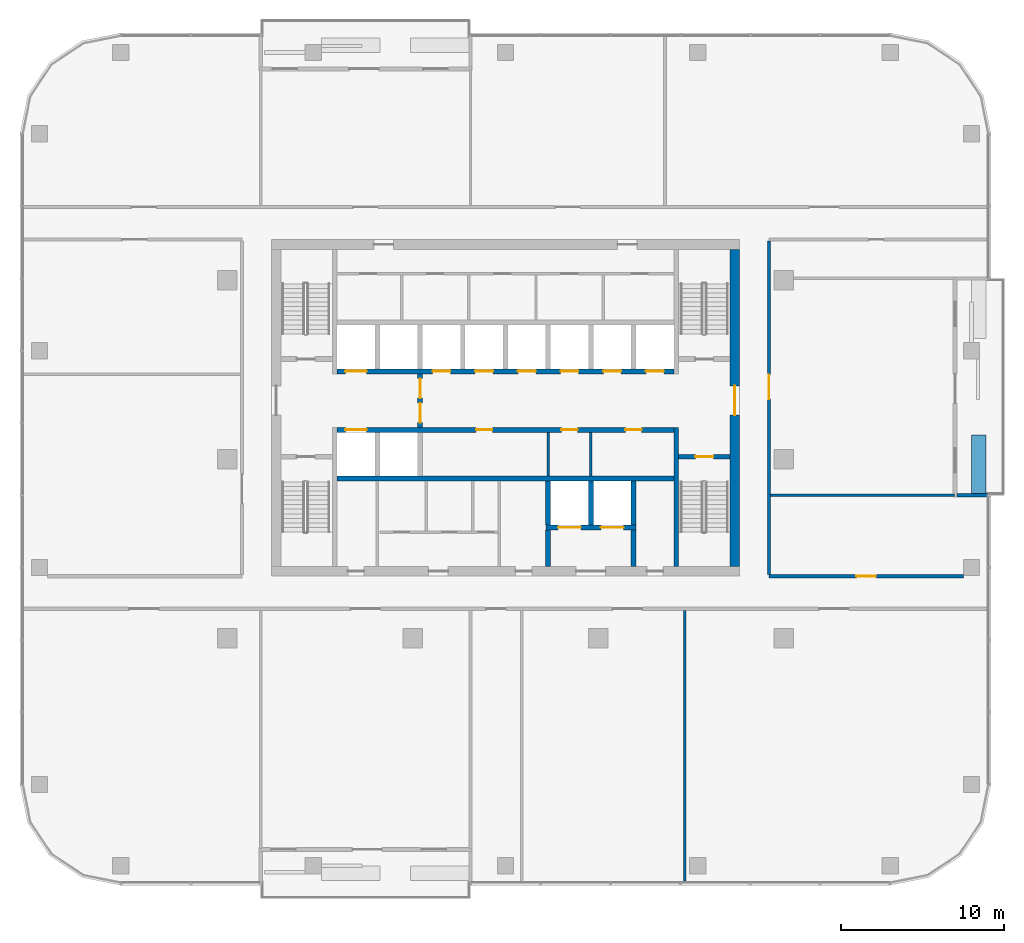
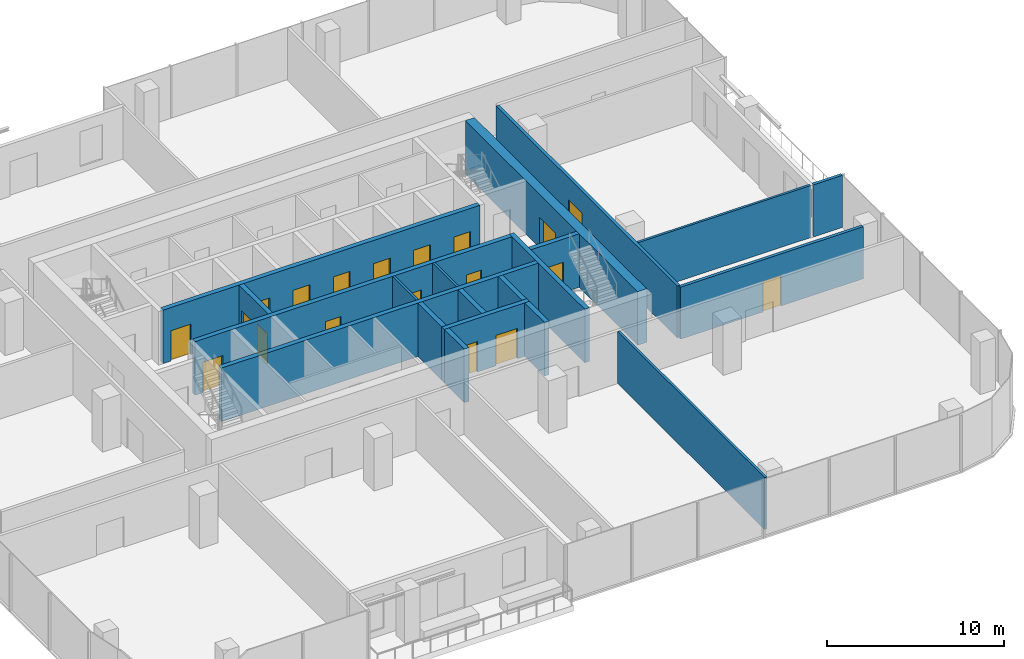
# One storey, part 8 of 13: 21 walls, 19 doors, 19 openings.
"""IFC4 building model written with IfcOpenShell, lengths in metres."""

from ifc_helpers import new_model, si_unit, direction, frame, frame_2d, origin, place, context, subcontext, project, spatial, rectangle, extrude, material, layer, layer_set, type_object, element, fill, save


model = new_model("IFC4")

# Units and contexts
model_context = context("Model", 3, precision=1e-05, world=origin(), true_north=direction((0.0, 1.0)))
body_context = subcontext(model_context, "Body", "Model", "MODEL_VIEW")
ifc_project = project(units=[si_unit("LENGTHUNIT", "METRE"), si_unit("AREAUNIT", "SQUARE_METRE"), si_unit("VOLUMEUNIT", "CUBIC_METRE"), si_unit("PLANEANGLEUNIT", "RADIAN"), si_unit("MASSUNIT", "GRAM", prefix="KILO")], contexts=[model_context])

# Site, building, storey
site_placement = place(None, origin())
site = spatial("IfcSite", under=ifc_project, at=site_placement, CompositionType="ELEMENT")
building_placement = place(site_placement, origin())
building = spatial("IfcBuilding", under=site, at=building_placement, Name="Mopane Tessera Tower", CompositionType="ELEMENT")
storey_placement = place(building_placement, frame((0.0, 0.0, 295.39990234375)))
storey = spatial("IfcBuildingStorey", under=building, at=storey_placement, Name="L64", CompositionType="ELEMENT", Elevation=295.39990234375)

# Walls
ifc_material_1 = material(Name="Fire-rated gypsum board partition")
ifc_layer_1 = layer(ifc_material_1, 0.14990234375)
ifc_layer_set_1 = layer_set([ifc_layer_1], Name="Fire-rated gypsum board partition")
wall_type_1 = type_object("IfcWallType", Name="Core room partition 150 mm", PredefinedType="PARTITIONING", material=ifc_layer_set_1)
for number, where, z_axis, x_axis, name in (
    (1, (2.625, -1.050048828125, 0.0), (0.0, 0.0, 1.0), (0.0, 1.0, 0.0), "L64 Room partition"),
    (2, (5.25, -1.050048828125, 0.0), (0.0, 0.0, 1.0), (0.0, 1.0, 0.0), "L64 Room partition"),
):
    element("IfcWall", number, at=place(storey_placement, frame(where, z_axis=z_axis, x_axis=x_axis)), inside=storey, type_object=wall_type_1, Name=name, PredefinedType="PARTITIONING", context=body_context, shape_type="SweptSolid", body=[
        extrude(rectangle(XDim=2.699951171875, YDim=0.14990234375, at=frame_2d((1.35009765625, 0.0))), origin(), (0.0, 0.0, 1.0), 3.7001953125),
    ])

# Wall, opening, door
ifc_material_2 = material(Name="Concrete C70/85", Category="concrete")
ifc_layer_2 = layer(ifc_material_2, 0.60009765625)
ifc_layer_set_2 = layer_set([ifc_layer_2], Name="Concrete C70/85")
wall_type_2 = type_object("IfcWallType", Name="Core shear wall 600 mm", PredefinedType="SHEAR", material=ifc_layer_set_2)
wall_1_placement = place(storey_placement, frame((14.10009765625, -6.60009765625, 0.0), z_axis=(0.0, 0.0, 1.0), x_axis=(0.0, 1.0, 0.0)))
wall_1 = element("IfcWall", 3, at=wall_1_placement, inside=storey, type_object=wall_type_2, Name="L64 Core wall east", PredefinedType="SHEAR", context=body_context, shape_type="SweptSolid", body=[
    extrude(rectangle(XDim=19.5, YDim=0.60009765625, at=frame_2d((9.75, 0.0))), origin(), (0.0, 0.0, 1.0), 3.7001953125),
])
opening_1_placement = place(wall_1_placement, frame((9.300048828125, 0.0, 0.0)))
opening_1 = element("IfcOpeningElement", 4, at=opening_1_placement, cuts=wall_1, Name="Opening SD2", PredefinedType="OPENING", context=body_context, shape_type="SweptSolid", body=[
    extrude(rectangle(XDim=1.800048828125, YDim=2.10009765625, at=frame_2d((0.89990234375, 1.050048828125))), frame((0.0, 0.31201171875, 0.0), z_axis=(0.0, -1.0, 0.0), x_axis=(1.0, 0.0, 0.0)), (0.0, 0.0, 1.0), 0.6240234375),
])
ifc_material_3 = material(Name="Steel fire door", Category="steel")
door_type_1 = type_object("IfcDoorType", Name="Core entrance double door 1800 x 2100", OperationType="DOUBLE_DOOR_SINGLE_SWING", PredefinedType="DOOR", material=ifc_material_3)
door_1_placement = place(opening_1_placement, origin())
door_1 = element("IfcDoor", 5, at=door_1_placement, inside=storey, type_object=door_type_1, Name="L64 Core entrance door east", OperationType="DOUBLE_DOOR_SINGLE_SWING", OverallHeight=2.10009765625, OverallWidth=1.800048828125, PredefinedType="DOOR", context=body_context, shape_type="SweptSolid", body=[
    extrude(rectangle(XDim=1.800048828125, YDim=2.10009765625, at=frame_2d((0.89990234375, 1.050048828125))), frame((0.0, 0.02490234375, 0.0), z_axis=(0.0, -1.0, 0.0), x_axis=(1.0, 0.0, 0.0)), (0.0, 0.0, 1.0), 0.050048828125),
])
fill(opening_1, door_1)

# Wall
ifc_material_4 = material(Name="Concrete C60/75", Category="concrete")
ifc_layer_3 = layer(ifc_material_4, 0.300048828125)
ifc_layer_set_3 = layer_set([ifc_layer_3], Name="Concrete C60/75")
wall_type_3 = type_object("IfcWallType", Name="Core spine wall 300 mm", PredefinedType="SHEAR", material=ifc_layer_set_3)
wall_2_placement = place(storey_placement, frame((10.5, -6.60009765625, 0.0), z_axis=(0.0, 0.0, 1.0), x_axis=(0.0, 1.0, 0.0)))
element("IfcWall", 6, at=wall_2_placement, inside=storey, type_object=wall_type_3, Name="L64 Core spine wall", PredefinedType="SHEAR", context=body_context, shape_type="SweptSolid", body=[
    extrude(rectangle(XDim=8.550048828125, YDim=0.300048828125, at=frame_2d((4.27490234375, 0.0))), origin(), (0.0, 0.0, 1.0), 3.7001953125),
])

# Wall, opening, door
ifc_material_5 = material(Name="Gypsum board on steel studs, two layers each face, mineral wool infill", Category="steel")
ifc_layer_4 = layer(ifc_material_5, 0.199951171875)
ifc_layer_set_4 = layer_set([ifc_layer_4], Name="Gypsum board on steel studs, two layers each face, mineral wool infill")
wall_type_4 = type_object("IfcWallType", Name="Gypsum board corridor wall 200, rated EI 60", PredefinedType="PARTITIONING", material=ifc_layer_set_4)
wall_3_placement = place(storey_placement, frame((16.199951171875, -7.199951171875, 0.0), z_axis=(0.0, 0.0, 1.0), x_axis=(1.0, 0.0, 0.0)))
wall_3 = element("IfcWall", 7, at=wall_3_placement, inside=storey, type_object=wall_type_4, Name="Partition L64:002", PredefinedType="PARTITIONING", context=body_context, shape_type="SweptSolid", body=[
    extrude(rectangle(XDim=11.949951171875, YDim=0.199951171875, at=frame_2d((5.97509765625, 0.0))), origin(), (0.0, 0.0, 1.0), 3.60009765625),
])
opening_2_placement = place(wall_3_placement, frame((5.375, 0.0, 0.0)))
opening_2 = element("IfcOpeningElement", 8, at=opening_2_placement, cuts=wall_3, Name="Opening L64-08", PredefinedType="OPENING", context=body_context, shape_type="SweptSolid", body=[
    extrude(rectangle(XDim=1.199951171875, YDim=2.10009765625, at=frame_2d((0.60009765625, 1.050048828125))), frame((0.0, 0.112060546875, 0.0), z_axis=(0.0, -1.0, 0.0), x_axis=(1.0, 0.0, 0.0)), (0.0, 0.0, 1.0), 0.223876953125),
])
ifc_material_6 = material(Name="Timber veneered steel-framed fire door", Category="steel")
door_type_2 = type_object("IfcDoorType", Name="Fire door FD60 1200 x 2100", OperationType="SINGLE_SWING_LEFT", PredefinedType="DOOR", material=ifc_material_6)
door_2_placement = place(opening_2_placement, origin())
door_2 = element("IfcDoor", 9, at=door_2_placement, inside=storey, type_object=door_type_2, Name="Door L64-08", ObjectType="D15A", OperationType="SINGLE_SWING_LEFT", OverallHeight=2.10009765625, OverallWidth=1.199951171875, PredefinedType="DOOR", context=body_context, shape_type="SweptSolid", body=[
    extrude(rectangle(XDim=1.199951171875, YDim=2.10009765625, at=frame_2d((0.60009765625, 1.050048828125))), frame((0.0, 0.02490234375, 0.0), z_axis=(0.0, -1.0, 0.0), x_axis=(1.0, 0.0, 0.0)), (0.0, 0.0, 1.0), 0.050048828125),
])
fill(opening_2, door_2)

wall_4_placement = place(storey_placement, frame((16.199951171875, -7.10009765625, 0.0), z_axis=(0.0, 0.0, 1.0), x_axis=(0.0, 1.0, 0.0)))
wall_4 = element("IfcWall", 10, at=wall_4_placement, inside=storey, type_object=wall_type_4, Name="Partition L64:017", PredefinedType="PARTITIONING", context=body_context, shape_type="SweptSolid", body=[
    extrude(rectangle(XDim=20.5, YDim=0.199951171875, at=frame_2d((10.25, 0.0))), origin(), (0.0, 0.0, 1.0), 3.60009765625),
])
opening_3_placement = place(wall_4_placement, frame((10.794921875, 0.0, 0.0)))
opening_3 = element("IfcOpeningElement", 11, at=opening_3_placement, cuts=wall_4, Name="Opening L64-11", PredefinedType="OPENING", context=body_context, shape_type="SweptSolid", body=[
    extrude(rectangle(XDim=1.5, YDim=2.10009765625, at=frame_2d((0.75, 1.050048828125))), frame((0.0, 0.112060546875, 0.0), z_axis=(0.0, -1.0, 0.0), x_axis=(1.0, 0.0, 0.0)), (0.0, 0.0, 1.0), 0.223876953125),
])
ifc_material_7 = material(Name="Timber veneered steel-framed fire door", Category="steel")
door_type_3 = type_object("IfcDoorType", Name="Fire door pair FD60 1500 x 2100", OperationType="DOUBLE_DOOR_SINGLE_SWING", PredefinedType="DOOR", material=ifc_material_7)
door_3_placement = place(opening_3_placement, origin())
door_3 = element("IfcDoor", 12, at=door_3_placement, inside=storey, type_object=door_type_3, Name="Door L64-11", ObjectType="D17A", OperationType="DOUBLE_DOOR_SINGLE_SWING", OverallHeight=2.10009765625, OverallWidth=1.5, PredefinedType="DOOR", context=body_context, shape_type="SweptSolid", body=[
    extrude(rectangle(XDim=1.5, YDim=2.10009765625, at=frame_2d((0.75, 1.050048828125))), frame((0.0, 0.02490234375, 0.0), z_axis=(0.0, -1.0, 0.0), x_axis=(1.0, 0.0, 0.0)), (0.0, 0.0, 1.0), 0.050048828125),
])
fill(opening_3, door_3)

# Walls
ifc_material_8 = material(Name="Gypsum board on steel studs, mineral wool infill", Category="steel")
ifc_layer_5 = layer(ifc_material_8, 0.14990234375)
ifc_layer_set_5 = layer_set([ifc_layer_5], Name="Gypsum board on steel studs, mineral wool infill")
wall_type_5 = type_object("IfcWallType", Name="Gypsum board partition 150, rated EI 60", PredefinedType="PARTITIONING", material=ifc_layer_set_5)
wall_5_placement = place(storey_placement, frame((16.300048828125, -2.219970703125, 0.0), z_axis=(0.0, 0.0, 1.0), x_axis=(1.0, 0.0, 0.0)))
element("IfcWall", 13, at=wall_5_placement, inside=storey, type_object=wall_type_5, Name="Partition L64:003", PredefinedType="PARTITIONING", context=body_context, shape_type="SweptSolid", body=[
    extrude(rectangle(XDim=11.300048828125, YDim=0.14990234375, at=frame_2d((5.64990234375, 0.0))), origin(), (0.0, 0.0, 1.0), 3.60009765625),
])
wall_6_placement = place(storey_placement, frame((11.010009765625, -25.949951171875, 0.0), z_axis=(0.0, 0.0, 1.0), x_axis=(0.0, 1.0, 0.0)))
element("IfcWall", 14, at=wall_6_placement, inside=storey, type_object=wall_type_5, Name="Partition L64:016", PredefinedType="PARTITIONING", context=body_context, shape_type="SweptSolid", body=[
    extrude(rectangle(XDim=16.64990234375, YDim=0.14990234375, at=frame_2d((8.324951171875, 0.0))), origin(), (0.0, 0.0, 1.0), 3.60009765625),
])

# Wall, opening, door
ifc_material_9 = material(Name="Concrete C50/60", Category="concrete")
ifc_layer_6 = layer(ifc_material_9, 0.300048828125)
ifc_layer_set_6 = layer_set([ifc_layer_6], Name="Concrete C50/60")
wall_type_6 = type_object("IfcWallType", Name="Lift and stair shaft wall 300 mm", PredefinedType="SOLIDWALL", material=ifc_layer_set_6)
wall_7_placement = place(storey_placement, frame((10.64990234375, 0.14990234375, 0.0), z_axis=(0.0, 0.0, 1.0), x_axis=(1.0, 0.0, 0.0)))
wall_7 = element("IfcWall", 15, at=wall_7_placement, inside=storey, type_object=wall_type_6, Name="L64 Stair enclosure wall", PredefinedType="SOLIDWALL", context=body_context, shape_type="SweptSolid", body=[
    extrude(rectangle(XDim=3.150146484375, YDim=0.300048828125, at=frame_2d((1.5751953125, 0.0))), origin(), (0.0, 0.0, 1.0), 3.7001953125),
])
opening_4_placement = place(wall_7_placement, frame((1.02490234375, 0.0, 0.0)))
opening_4 = element("IfcOpeningElement", 16, at=opening_4_placement, cuts=wall_7, Name="Opening SD1", PredefinedType="OPENING", context=body_context, shape_type="SweptSolid", body=[
    extrude(rectangle(XDim=1.10009765625, YDim=2.10009765625, at=frame_2d((0.550048828125, 1.050048828125))), frame((0.0, 0.162109375, 0.0), z_axis=(0.0, -1.0, 0.0), x_axis=(1.0, 0.0, 0.0)), (0.0, 0.0, 1.0), 0.323974609375),
])
ifc_material_10 = material(Name="Steel fire door", Category="steel")
door_type_4 = type_object("IfcDoorType", Name="Stair fire door 1100 x 2100", OperationType="SINGLE_SWING_LEFT", PredefinedType="DOOR", material=ifc_material_10)
door_4_placement = place(opening_4_placement, origin())
door_4 = element("IfcDoor", 17, at=door_4_placement, inside=storey, type_object=door_type_4, Name="L64 Stair door ST3", OperationType="SINGLE_SWING_RIGHT", OverallHeight=2.10009765625, OverallWidth=1.10009765625, PredefinedType="DOOR", context=body_context, shape_type="SweptSolid", body=[
    extrude(rectangle(XDim=1.10009765625, YDim=2.10009765625, at=frame_2d((0.550048828125, 1.050048828125))), frame((0.0, 0.02490234375, 0.0), z_axis=(0.0, -1.0, 0.0), x_axis=(1.0, 0.0, 0.0)), (0.0, 0.0, 1.0), 0.050048828125),
])
fill(opening_4, door_4)

# Wall
wall_8_placement = place(storey_placement, frame((-10.35009765625, -1.199951171875, 0.0), z_axis=(0.0, 0.0, 1.0), x_axis=(1.0, 0.0, 0.0)))
element("IfcWall", 18, at=wall_8_placement, inside=storey, type_object=wall_type_6, Name="L64 Lift shaft rear wall", PredefinedType="SOLIDWALL", context=body_context, shape_type="SweptSolid", body=[
    extrude(rectangle(XDim=20.7001953125, YDim=0.300048828125, at=frame_2d((10.35009765625, 0.0))), origin(), (0.0, 0.0, 1.0), 3.7001953125),
])

# Wall, openings, doors
wall_9_placement = place(storey_placement, frame((-10.35009765625, 1.800048828125, 0.0), z_axis=(0.0, 0.0, 1.0), x_axis=(1.0, 0.0, 0.0)))
wall_9 = element("IfcWall", 19, at=wall_9_placement, inside=storey, type_object=wall_type_6, Name="L64 Lift shaft front wall", PredefinedType="SOLIDWALL", context=body_context, shape_type="SweptSolid", body=[
    extrude(rectangle(XDim=20.7001953125, YDim=0.300048828125, at=frame_2d((10.35009765625, 0.0))), origin(), (0.0, 0.0, 1.0), 3.7001953125),
])
opening_5_placement = place(wall_9_placement, frame((0.512451171875, 0.0, 0.0)))
opening_5 = element("IfcOpeningElement", 20, at=opening_5_placement, cuts=wall_9, Name="Opening LD2", PredefinedType="OPENING", context=body_context, shape_type="SweptSolid", body=[
    extrude(rectangle(XDim=1.300048828125, YDim=2.10009765625, at=frame_2d((0.64990234375, 1.050048828125))), frame((0.0, 0.162109375, 0.0), z_axis=(0.0, -1.0, 0.0), x_axis=(1.0, 0.0, 0.0)), (0.0, 0.0, 1.0), 0.323974609375),
])
opening_6_placement = place(wall_9_placement, frame((8.53759765625, 0.0, 0.0)))
opening_6 = element("IfcOpeningElement", 21, at=opening_6_placement, cuts=wall_9, Name="Opening RD1", PredefinedType="OPENING", context=body_context, shape_type="SweptSolid", body=[
    extrude(rectangle(XDim=1.0, YDim=2.10009765625, at=frame_2d((0.5, 1.050048828125))), frame((0.0, 0.162109375, 0.0), z_axis=(0.0, -1.0, 0.0), x_axis=(1.0, 0.0, 0.0)), (0.0, 0.0, 1.0), 0.323974609375),
])
opening_7_placement = place(wall_9_placement, frame((13.78759765625, 0.0, 0.0)))
opening_7 = element("IfcOpeningElement", 22, at=opening_7_placement, cuts=wall_9, Name="Opening RD1", PredefinedType="OPENING", context=body_context, shape_type="SweptSolid", body=[
    extrude(rectangle(XDim=1.0, YDim=2.10009765625, at=frame_2d((0.5, 1.050048828125))), frame((0.0, 0.162109375, 0.0), z_axis=(0.0, -1.0, 0.0), x_axis=(1.0, 0.0, 0.0)), (0.0, 0.0, 1.0), 0.323974609375),
])
opening_8_placement = place(wall_9_placement, frame((17.72509765625, 0.0, 0.0)))
opening_8 = element("IfcOpeningElement", 23, at=opening_8_placement, cuts=wall_9, Name="Opening RD1", PredefinedType="OPENING", context=body_context, shape_type="SweptSolid", body=[
    extrude(rectangle(XDim=1.0, YDim=2.10009765625, at=frame_2d((0.5, 1.050048828125))), frame((0.0, 0.162109375, 0.0), z_axis=(0.0, -1.0, 0.0), x_axis=(1.0, 0.0, 0.0)), (0.0, 0.0, 1.0), 0.323974609375),
])
ifc_material_11 = material(Name="Timber door", Category="wood")
door_type_5 = type_object("IfcDoorType", Name="Core room door 1000 x 2100", OperationType="SINGLE_SWING_LEFT", PredefinedType="DOOR", material=ifc_material_11)
door_5_placement = place(opening_6_placement, origin())
door_5 = element("IfcDoor", 24, at=door_5_placement, inside=storey, type_object=door_type_5, Name="L64 Room door", OperationType="SINGLE_SWING_LEFT", OverallHeight=2.10009765625, OverallWidth=1.0, PredefinedType="DOOR", context=body_context, shape_type="SweptSolid", body=[
    extrude(rectangle(XDim=1.0, YDim=2.10009765625, at=frame_2d((0.5, 1.050048828125))), frame((0.0, 0.02490234375, 0.0), z_axis=(0.0, -1.0, 0.0), x_axis=(1.0, 0.0, 0.0)), (0.0, 0.0, 1.0), 0.050048828125),
])
fill(opening_6, door_5)
door_6_placement = place(opening_7_placement, origin())
door_6 = element("IfcDoor", 25, at=door_6_placement, inside=storey, type_object=door_type_5, Name="L64 Room door", OperationType="SINGLE_SWING_LEFT", OverallHeight=2.10009765625, OverallWidth=1.0, PredefinedType="DOOR", context=body_context, shape_type="SweptSolid", body=[
    extrude(rectangle(XDim=1.0, YDim=2.10009765625, at=frame_2d((0.5, 1.050048828125))), frame((0.0, 0.02490234375, 0.0), z_axis=(0.0, -1.0, 0.0), x_axis=(1.0, 0.0, 0.0)), (0.0, 0.0, 1.0), 0.050048828125),
])
fill(opening_7, door_6)
door_7_placement = place(opening_8_placement, origin())
door_7 = element("IfcDoor", 26, at=door_7_placement, inside=storey, type_object=door_type_5, Name="L64 Room door", OperationType="SINGLE_SWING_LEFT", OverallHeight=2.10009765625, OverallWidth=1.0, PredefinedType="DOOR", context=body_context, shape_type="SweptSolid", body=[
    extrude(rectangle(XDim=1.0, YDim=2.10009765625, at=frame_2d((0.5, 1.050048828125))), frame((0.0, 0.02490234375, 0.0), z_axis=(0.0, -1.0, 0.0), x_axis=(1.0, 0.0, 0.0)), (0.0, 0.0, 1.0), 0.050048828125),
])
fill(opening_8, door_7)
ifc_material_12 = material(Name="Stainless steel sliding door", Category="steel")
door_type_6 = type_object("IfcDoorType", Name="Fire-fighting lift landing door 1300 x 2100", OperationType="DOUBLE_DOOR_SLIDING", PredefinedType="DOOR", material=ifc_material_12)
door_8_placement = place(opening_5_placement, origin())
door_8 = element("IfcDoor", 27, at=door_8_placement, inside=storey, type_object=door_type_6, Name="L64 Lift landing door FF1", OperationType="DOUBLE_DOOR_SLIDING", OverallHeight=2.10009765625, OverallWidth=1.300048828125, PredefinedType="DOOR", context=body_context, shape_type="SweptSolid", body=[
    extrude(rectangle(XDim=1.300048828125, YDim=2.10009765625, at=frame_2d((0.64990234375, 1.050048828125))), frame((0.0, 0.02490234375, 0.0), z_axis=(0.0, -1.0, 0.0), x_axis=(1.0, 0.0, 0.0)), (0.0, 0.0, 1.0), 0.050048828125),
])
fill(opening_5, door_8)

wall_10_placement = place(storey_placement, frame((-10.35009765625, 5.39990234375, 0.0), z_axis=(0.0, 0.0, 1.0), x_axis=(1.0, 0.0, 0.0)))
wall_10 = element("IfcWall", 28, at=wall_10_placement, inside=storey, type_object=wall_type_6, Name="L64 Lift shaft front wall", PredefinedType="SOLIDWALL", context=body_context, shape_type="SweptSolid", body=[
    extrude(rectangle(XDim=20.7001953125, YDim=0.300048828125, at=frame_2d((10.35009765625, 0.0))), origin(), (0.0, 0.0, 1.0), 3.7001953125),
])
opening_9_placement = place(wall_10_placement, frame((0.512451171875, 0.0, 0.0)))
opening_9 = element("IfcOpeningElement", 29, at=opening_9_placement, cuts=wall_10, Name="Opening LD2", PredefinedType="OPENING", context=body_context, shape_type="SweptSolid", body=[
    extrude(rectangle(XDim=1.300048828125, YDim=2.10009765625, at=frame_2d((0.64990234375, 1.050048828125))), frame((0.0, 0.162109375, 0.0), z_axis=(0.0, -1.0, 0.0), x_axis=(1.0, 0.0, 0.0)), (0.0, 0.0, 1.0), 0.323974609375),
])
opening_10_placement = place(wall_10_placement, frame((5.862548828125, 0.0, 0.0)))
opening_10 = element("IfcOpeningElement", 30, at=opening_10_placement, cuts=wall_10, Name="Opening LD", PredefinedType="OPENING", context=body_context, shape_type="SweptSolid", body=[
    extrude(rectangle(XDim=1.10009765625, YDim=2.10009765625, at=frame_2d((0.550048828125, 1.050048828125))), frame((0.0, 0.162109375, 0.0), z_axis=(0.0, -1.0, 0.0), x_axis=(1.0, 0.0, 0.0)), (0.0, 0.0, 1.0), 0.323974609375),
])
opening_11_placement = place(wall_10_placement, frame((8.487548828125, 0.0, 0.0)))
opening_11 = element("IfcOpeningElement", 31, at=opening_11_placement, cuts=wall_10, Name="Opening LD", PredefinedType="OPENING", context=body_context, shape_type="SweptSolid", body=[
    extrude(rectangle(XDim=1.10009765625, YDim=2.10009765625, at=frame_2d((0.550048828125, 1.050048828125))), frame((0.0, 0.162109375, 0.0), z_axis=(0.0, -1.0, 0.0), x_axis=(1.0, 0.0, 0.0)), (0.0, 0.0, 1.0), 0.323974609375),
])
opening_12_placement = place(wall_10_placement, frame((11.112548828125, 0.0, 0.0)))
opening_12 = element("IfcOpeningElement", 32, at=opening_12_placement, cuts=wall_10, Name="Opening LD", PredefinedType="OPENING", context=body_context, shape_type="SweptSolid", body=[
    extrude(rectangle(XDim=1.10009765625, YDim=2.10009765625, at=frame_2d((0.550048828125, 1.050048828125))), frame((0.0, 0.162109375, 0.0), z_axis=(0.0, -1.0, 0.0), x_axis=(1.0, 0.0, 0.0)), (0.0, 0.0, 1.0), 0.323974609375),
])
opening_13_placement = place(wall_10_placement, frame((13.737548828125, 0.0, 0.0)))
opening_13 = element("IfcOpeningElement", 33, at=opening_13_placement, cuts=wall_10, Name="Opening LD", PredefinedType="OPENING", context=body_context, shape_type="SweptSolid", body=[
    extrude(rectangle(XDim=1.10009765625, YDim=2.10009765625, at=frame_2d((0.550048828125, 1.050048828125))), frame((0.0, 0.162109375, 0.0), z_axis=(0.0, -1.0, 0.0), x_axis=(1.0, 0.0, 0.0)), (0.0, 0.0, 1.0), 0.323974609375),
])
opening_14_placement = place(wall_10_placement, frame((16.362548828125, 0.0, 0.0)))
opening_14 = element("IfcOpeningElement", 34, at=opening_14_placement, cuts=wall_10, Name="Opening LD", PredefinedType="OPENING", context=body_context, shape_type="SweptSolid", body=[
    extrude(rectangle(XDim=1.10009765625, YDim=2.10009765625, at=frame_2d((0.550048828125, 1.050048828125))), frame((0.0, 0.162109375, 0.0), z_axis=(0.0, -1.0, 0.0), x_axis=(1.0, 0.0, 0.0)), (0.0, 0.0, 1.0), 0.323974609375),
])
opening_15_placement = place(wall_10_placement, frame((18.987548828125, 0.0, 0.0)))
opening_15 = element("IfcOpeningElement", 35, at=opening_15_placement, cuts=wall_10, Name="Opening LD", PredefinedType="OPENING", context=body_context, shape_type="SweptSolid", body=[
    extrude(rectangle(XDim=1.10009765625, YDim=2.10009765625, at=frame_2d((0.550048828125, 1.050048828125))), frame((0.0, 0.162109375, 0.0), z_axis=(0.0, -1.0, 0.0), x_axis=(1.0, 0.0, 0.0)), (0.0, 0.0, 1.0), 0.323974609375),
])
door_9_placement = place(opening_9_placement, origin())
door_9 = element("IfcDoor", 36, at=door_9_placement, inside=storey, type_object=door_type_6, Name="L64 Lift landing door FF2", OperationType="DOUBLE_DOOR_SLIDING", OverallHeight=2.10009765625, OverallWidth=1.300048828125, PredefinedType="DOOR", context=body_context, shape_type="SweptSolid", body=[
    extrude(rectangle(XDim=1.300048828125, YDim=2.10009765625, at=frame_2d((0.64990234375, 1.050048828125))), frame((0.0, 0.02490234375, 0.0), z_axis=(0.0, -1.0, 0.0), x_axis=(1.0, 0.0, 0.0)), (0.0, 0.0, 1.0), 0.050048828125),
])
fill(opening_9, door_9)
ifc_material_13 = material(Name="Stainless steel sliding door", Category="steel")
door_type_7 = type_object("IfcDoorType", Name="Lift landing door 1100 x 2100", OperationType="DOUBLE_DOOR_SLIDING", PredefinedType="DOOR", material=ifc_material_13)
door_10_placement = place(opening_10_placement, origin())
door_10 = element("IfcDoor", 37, at=door_10_placement, inside=storey, type_object=door_type_7, Name="L64 Lift landing door HR1", OperationType="DOUBLE_DOOR_SLIDING", OverallHeight=2.10009765625, OverallWidth=1.10009765625, PredefinedType="DOOR", context=body_context, shape_type="SweptSolid", body=[
    extrude(rectangle(XDim=1.10009765625, YDim=2.10009765625, at=frame_2d((0.550048828125, 1.050048828125))), frame((0.0, 0.02490234375, 0.0), z_axis=(0.0, -1.0, 0.0), x_axis=(1.0, 0.0, 0.0)), (0.0, 0.0, 1.0), 0.050048828125),
])
fill(opening_10, door_10)
door_11_placement = place(opening_11_placement, origin())
door_11 = element("IfcDoor", 38, at=door_11_placement, inside=storey, type_object=door_type_7, Name="L64 Lift landing door HR2", OperationType="DOUBLE_DOOR_SLIDING", OverallHeight=2.10009765625, OverallWidth=1.10009765625, PredefinedType="DOOR", context=body_context, shape_type="SweptSolid", body=[
    extrude(rectangle(XDim=1.10009765625, YDim=2.10009765625, at=frame_2d((0.550048828125, 1.050048828125))), frame((0.0, 0.02490234375, 0.0), z_axis=(0.0, -1.0, 0.0), x_axis=(1.0, 0.0, 0.0)), (0.0, 0.0, 1.0), 0.050048828125),
])
fill(opening_11, door_11)
door_12_placement = place(opening_12_placement, origin())
door_12 = element("IfcDoor", 39, at=door_12_placement, inside=storey, type_object=door_type_7, Name="L64 Lift landing door HR3", OperationType="DOUBLE_DOOR_SLIDING", OverallHeight=2.10009765625, OverallWidth=1.10009765625, PredefinedType="DOOR", context=body_context, shape_type="SweptSolid", body=[
    extrude(rectangle(XDim=1.10009765625, YDim=2.10009765625, at=frame_2d((0.550048828125, 1.050048828125))), frame((0.0, 0.02490234375, 0.0), z_axis=(0.0, -1.0, 0.0), x_axis=(1.0, 0.0, 0.0)), (0.0, 0.0, 1.0), 0.050048828125),
])
fill(opening_12, door_12)
door_13_placement = place(opening_13_placement, origin())
door_13 = element("IfcDoor", 40, at=door_13_placement, inside=storey, type_object=door_type_7, Name="L64 Lift landing door HR4", OperationType="DOUBLE_DOOR_SLIDING", OverallHeight=2.10009765625, OverallWidth=1.10009765625, PredefinedType="DOOR", context=body_context, shape_type="SweptSolid", body=[
    extrude(rectangle(XDim=1.10009765625, YDim=2.10009765625, at=frame_2d((0.550048828125, 1.050048828125))), frame((0.0, 0.02490234375, 0.0), z_axis=(0.0, -1.0, 0.0), x_axis=(1.0, 0.0, 0.0)), (0.0, 0.0, 1.0), 0.050048828125),
])
fill(opening_13, door_13)
door_14_placement = place(opening_14_placement, origin())
door_14 = element("IfcDoor", 41, at=door_14_placement, inside=storey, type_object=door_type_7, Name="L64 Lift landing door HR5", OperationType="DOUBLE_DOOR_SLIDING", OverallHeight=2.10009765625, OverallWidth=1.10009765625, PredefinedType="DOOR", context=body_context, shape_type="SweptSolid", body=[
    extrude(rectangle(XDim=1.10009765625, YDim=2.10009765625, at=frame_2d((0.550048828125, 1.050048828125))), frame((0.0, 0.02490234375, 0.0), z_axis=(0.0, -1.0, 0.0), x_axis=(1.0, 0.0, 0.0)), (0.0, 0.0, 1.0), 0.050048828125),
])
fill(opening_14, door_14)
door_15_placement = place(opening_15_placement, origin())
door_15 = element("IfcDoor", 42, at=door_15_placement, inside=storey, type_object=door_type_7, Name="L64 Lift landing door HR6", OperationType="DOUBLE_DOOR_SLIDING", OverallHeight=2.10009765625, OverallWidth=1.10009765625, PredefinedType="DOOR", context=body_context, shape_type="SweptSolid", body=[
    extrude(rectangle(XDim=1.10009765625, YDim=2.10009765625, at=frame_2d((0.550048828125, 1.050048828125))), frame((0.0, 0.02490234375, 0.0), z_axis=(0.0, -1.0, 0.0), x_axis=(1.0, 0.0, 0.0)), (0.0, 0.0, 1.0), 0.050048828125),
])
fill(opening_15, door_15)

wall_11_placement = place(storey_placement, frame((2.47509765625, -4.199951171875, 0.0), z_axis=(0.0, 0.0, 1.0), x_axis=(1.0, 0.0, 0.0)))
wall_11 = element("IfcWall", 43, at=wall_11_placement, inside=storey, type_object=wall_type_6, Name="L64 Lift shaft front wall", PredefinedType="SOLIDWALL", context=body_context, shape_type="SweptSolid", body=[
    extrude(rectangle(XDim=5.5498046875, YDim=0.300048828125, at=frame_2d((2.77490234375, 0.0))), origin(), (0.0, 0.0, 1.0), 3.7001953125),
])
opening_16_placement = place(wall_11_placement, frame((0.762451171875, 0.0, 0.0)))
opening_16 = element("IfcOpeningElement", 44, at=opening_16_placement, cuts=wall_11, Name="Opening LD3", PredefinedType="OPENING", context=body_context, shape_type="SweptSolid", body=[
    extrude(rectangle(XDim=1.39990234375, YDim=2.10009765625, at=frame_2d((0.699951171875, 1.050048828125))), frame((0.0, 0.162109375, 0.0), z_axis=(0.0, -1.0, 0.0), x_axis=(1.0, 0.0, 0.0)), (0.0, 0.0, 1.0), 0.323974609375),
])
opening_17_placement = place(wall_11_placement, frame((3.387451171875, 0.0, 0.0)))
opening_17 = element("IfcOpeningElement", 45, at=opening_17_placement, cuts=wall_11, Name="Opening LD3", PredefinedType="OPENING", context=body_context, shape_type="SweptSolid", body=[
    extrude(rectangle(XDim=1.39990234375, YDim=2.10009765625, at=frame_2d((0.699951171875, 1.050048828125))), frame((0.0, 0.162109375, 0.0), z_axis=(0.0, -1.0, 0.0), x_axis=(1.0, 0.0, 0.0)), (0.0, 0.0, 1.0), 0.323974609375),
])
ifc_material_14 = material(Name="Stainless steel sliding door", Category="steel")
door_type_8 = type_object("IfcDoorType", Name="Service lift landing door 1400 x 2100", OperationType="DOUBLE_DOOR_SLIDING", PredefinedType="DOOR", material=ifc_material_14)
door_16_placement = place(opening_16_placement, origin())
door_16 = element("IfcDoor", 46, at=door_16_placement, inside=storey, type_object=door_type_8, Name="L64 Lift landing door SV1", OperationType="DOUBLE_DOOR_SLIDING", OverallHeight=2.10009765625, OverallWidth=1.39990234375, PredefinedType="DOOR", context=body_context, shape_type="SweptSolid", body=[
    extrude(rectangle(XDim=1.39990234375, YDim=2.10009765625, at=frame_2d((0.699951171875, 1.050048828125))), frame((0.0, 0.02490234375, 0.0), z_axis=(0.0, -1.0, 0.0), x_axis=(1.0, 0.0, 0.0)), (0.0, 0.0, 1.0), 0.050048828125),
])
fill(opening_16, door_16)
door_17_placement = place(opening_17_placement, origin())
door_17 = element("IfcDoor", 47, at=door_17_placement, inside=storey, type_object=door_type_8, Name="L64 Lift landing door SV2", OperationType="DOUBLE_DOOR_SLIDING", OverallHeight=2.10009765625, OverallWidth=1.39990234375, PredefinedType="DOOR", context=body_context, shape_type="SweptSolid", body=[
    extrude(rectangle(XDim=1.39990234375, YDim=2.10009765625, at=frame_2d((0.699951171875, 1.050048828125))), frame((0.0, 0.02490234375, 0.0), z_axis=(0.0, -1.0, 0.0), x_axis=(1.0, 0.0, 0.0)), (0.0, 0.0, 1.0), 0.050048828125),
])
fill(opening_17, door_17)

# Walls
for number, where, z_axis, x_axis, name in (
    (48, (2.625, -4.050048828125, 0.0), (0.0, 0.0, 1.0), (0.0, 1.0, 0.0), "L64 Lift shaft wall"),
    (49, (5.25, -4.050048828125, 0.0), (0.0, 0.0, 1.0), (0.0, 1.0, 0.0), "L64 Lift shaft wall"),
    (50, (7.875, -4.050048828125, 0.0), (0.0, 0.0, 1.0), (0.0, 1.0, 0.0), "L64 Lift shaft wall"),
):
    element("IfcWall", number, at=place(storey_placement, frame(where, z_axis=z_axis, x_axis=x_axis)), inside=storey, type_object=wall_type_6, Name=name, PredefinedType="SOLIDWALL", context=body_context, shape_type="SweptSolid", body=[
        extrude(rectangle(XDim=2.699951171875, YDim=0.300048828125, at=frame_2d((1.35009765625, 0.0))), origin(), (0.0, 0.0, 1.0), 3.7001953125),
    ])

# Wall, openings, doors
ifc_material_15 = material(Name="Concrete C50/60", Category="concrete")
ifc_layer_7 = layer(ifc_material_15, 0.300048828125)
ifc_layer_set_7 = layer_set([ifc_layer_7], Name="Concrete C50/60")
wall_type_7 = type_object("IfcWallType", Name="Lobby and refuge room wall 300 mm", PredefinedType="SOLIDWALL", material=ifc_layer_set_7)
wall_12_placement = place(storey_placement, frame((-5.25, 1.949951171875, 0.0), z_axis=(0.0, 0.0, 1.0), x_axis=(0.0, 1.0, 0.0)))
wall_12 = element("IfcWall", 51, at=wall_12_placement, inside=storey, type_object=wall_type_7, Name="L64 Fire-fighting lobby wall", PredefinedType="SOLIDWALL", context=body_context, shape_type="SweptSolid", body=[
    extrude(rectangle(XDim=3.300048828125, YDim=0.300048828125, at=frame_2d((1.64990234375, 0.0))), origin(), (0.0, 0.0, 1.0), 3.7001953125),
])
opening_18_placement = place(wall_12_placement, frame((0.300048828125, 0.0, 0.0)))
opening_18 = element("IfcOpeningElement", 52, at=opening_18_placement, cuts=wall_12, Name="Opening SD3", PredefinedType="OPENING", context=body_context, shape_type="SweptSolid", body=[
    extrude(rectangle(XDim=1.199951171875, YDim=2.10009765625, at=frame_2d((0.60009765625, 1.050048828125))), frame((0.0, 0.162109375, 0.0), z_axis=(0.0, -1.0, 0.0), x_axis=(1.0, 0.0, 0.0)), (0.0, 0.0, 1.0), 0.323974609375),
])
opening_19_placement = place(wall_12_placement, frame((1.800048828125, 0.0, 0.0)))
opening_19 = element("IfcOpeningElement", 53, at=opening_19_placement, cuts=wall_12, Name="Opening SD3", PredefinedType="OPENING", context=body_context, shape_type="SweptSolid", body=[
    extrude(rectangle(XDim=1.199951171875, YDim=2.10009765625, at=frame_2d((0.60009765625, 1.050048828125))), frame((0.0, 0.162109375, 0.0), z_axis=(0.0, -1.0, 0.0), x_axis=(1.0, 0.0, 0.0)), (0.0, 0.0, 1.0), 0.323974609375),
])
ifc_material_16 = material(Name="Steel fire door", Category="steel")
door_type_9 = type_object("IfcDoorType", Name="Lobby fire door 1200 x 2100", OperationType="SINGLE_SWING_LEFT", PredefinedType="DOOR", material=ifc_material_16)
door_18_placement = place(opening_18_placement, origin())
door_18 = element("IfcDoor", 54, at=door_18_placement, inside=storey, type_object=door_type_9, Name="L64 Fire-fighting lobby door", OperationType="SINGLE_SWING_LEFT", OverallHeight=2.10009765625, OverallWidth=1.199951171875, PredefinedType="DOOR", context=body_context, shape_type="SweptSolid", body=[
    extrude(rectangle(XDim=1.199951171875, YDim=2.10009765625, at=frame_2d((0.60009765625, 1.050048828125))), frame((0.0, 0.02490234375, 0.0), z_axis=(0.0, -1.0, 0.0), x_axis=(1.0, 0.0, 0.0)), (0.0, 0.0, 1.0), 0.050048828125),
])
fill(opening_18, door_18)
door_19_placement = place(opening_19_placement, origin())
door_19 = element("IfcDoor", 55, at=door_19_placement, inside=storey, type_object=door_type_9, Name="L64 Fire-fighting lobby door", OperationType="SINGLE_SWING_RIGHT", OverallHeight=2.10009765625, OverallWidth=1.199951171875, PredefinedType="DOOR", context=body_context, shape_type="SweptSolid", body=[
    extrude(rectangle(XDim=1.199951171875, YDim=2.10009765625, at=frame_2d((0.60009765625, 1.050048828125))), frame((0.0, 0.02490234375, 0.0), z_axis=(0.0, -1.0, 0.0), x_axis=(1.0, 0.0, 0.0)), (0.0, 0.0, 1.0), 0.050048828125),
])
fill(opening_19, door_19)

# Walls
for number, where, z_axis, x_axis, name in (
    (56, (2.625, -6.60009765625, 0.0), (0.0, 0.0, 1.0), (0.0, 1.0, 0.0), "L64 Service lobby wall"),
    (57, (7.875, -6.60009765625, 0.0), (0.0, 0.0, 1.0), (0.0, 1.0, 0.0), "L64 Service lobby wall"),
):
    element("IfcWall", number, at=place(storey_placement, frame(where, z_axis=z_axis, x_axis=x_axis)), inside=storey, type_object=wall_type_7, Name=name, PredefinedType="SOLIDWALL", context=body_context, shape_type="SweptSolid", body=[
        extrude(rectangle(XDim=2.25, YDim=0.300048828125, at=frame_2d((1.125, 0.0))), origin(), (0.0, 0.0, 1.0), 3.7001953125),
    ])
ifc_material_17 = material(Name="Reinforced concrete C32/40 with waterproofing", Category="concrete")
ifc_layer_8 = layer(ifc_material_17, 0.89990234375)
ifc_layer_set_8 = layer_set([ifc_layer_8], Name="Reinforced concrete C32/40 with waterproofing")
wall_type_8 = type_object("IfcWallType", Name="Planter trough 3600 x 900", PredefinedType="STANDARD", material=ifc_layer_set_8)
wall_13_placement = place(storey_placement, frame((29.10009765625, -2.122314453125, 0.0), z_axis=(0.0, 0.0, 1.0), x_axis=(0.0, 1.0, 0.0)))
element("IfcWall", 58, at=wall_13_placement, inside=storey, type_object=wall_type_8, Name="e:nw:L64:N1:pl0", PredefinedType="STANDARD", context=body_context, shape_type="SweptSolid", body=[
    extrude(rectangle(XDim=3.60009765625, YDim=0.89990234375, at=frame_2d((1.800048828125, 0.0))), origin(), (0.0, 0.0, 1.0), 0.7001953125),
])
ifc_material_18 = material(Name="Blockwork with glazed tile facing", Category="masonry")
ifc_layer_9 = layer(ifc_material_18, 0.199951171875)
ifc_layer_set_9 = layer_set([ifc_layer_9], Name="Blockwork with glazed tile facing")
wall_type_9 = type_object("IfcWallType", Name="Terrace cheek wall 200", PredefinedType="STANDARD", material=ifc_layer_set_9)
wall_14_placement = place(storey_placement, frame((29.64990234375, -2.22216796875, 0.0), z_axis=(0.0, 0.0, 1.0), x_axis=(-1.0, 0.0, 0.0)))
element("IfcWall", 59, at=wall_14_placement, inside=storey, type_object=wall_type_9, Name="e:nw:L64:N1:cheeka", PredefinedType="STANDARD", context=body_context, shape_type="SweptSolid", body=[
    extrude(rectangle(XDim=1.875, YDim=0.199951171875, at=frame_2d((0.9375, 0.0))), origin(), (0.0, 0.0, 1.0), 3.60009765625),
])

save(model, "model.ifc")
